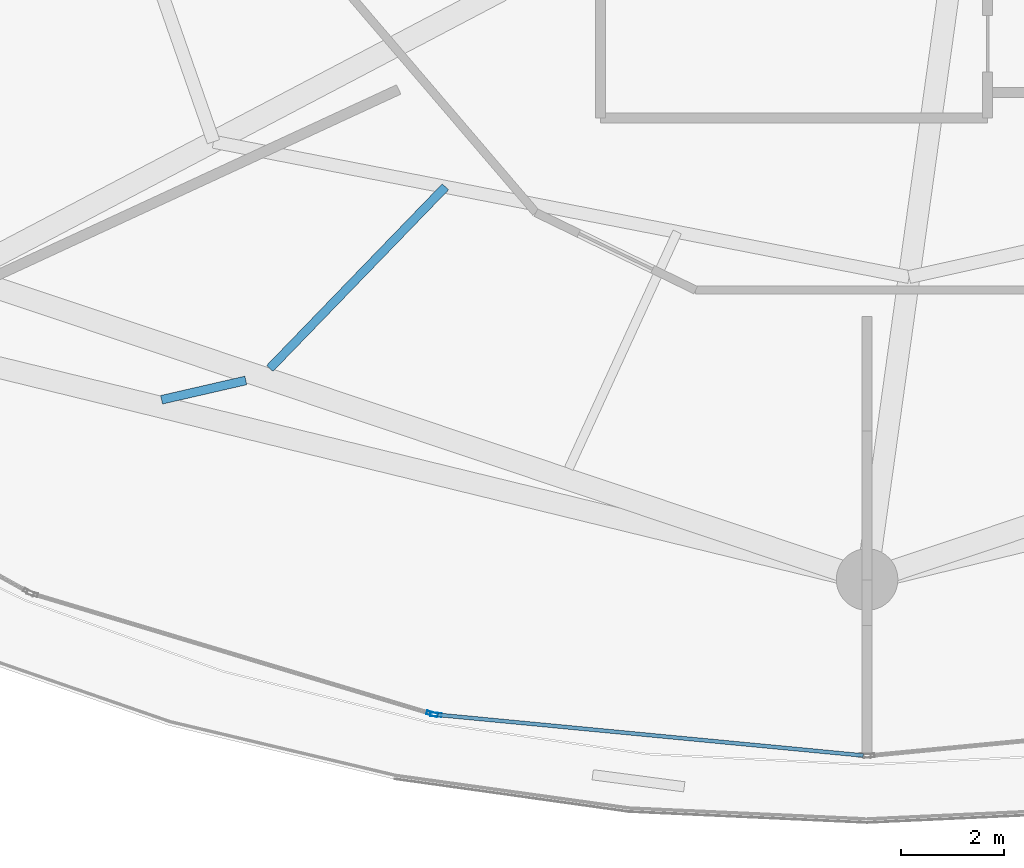
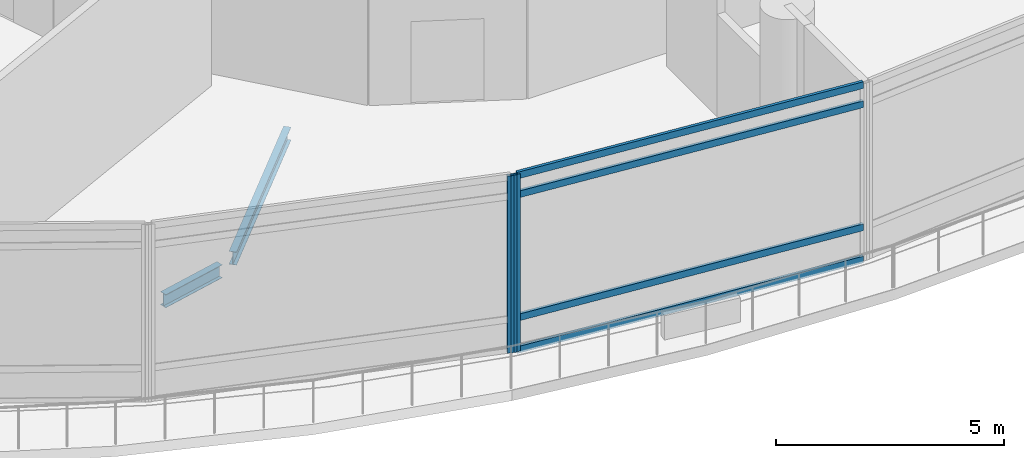
# One storey, part 5 of 34: 6 members, 2 beams, 2 elements without a shape of their own.
"""IFC4 building model written with IfcOpenShell, lengths in metres."""

from ifc_helpers import new_model, si_unit, direction, frame, origin, origin_2d, place, context, subcontext, project, spatial, hollow_rectangle, i_section, extrude, material, layer, layer_set, material_profile, profile_set, type_object, element, aggregate, save


model = new_model("IFC4")

# Units and contexts
model_context = context("Model", 3, precision=1e-05, world=origin(), true_north=direction((0.0, 1.0)))
body_context = subcontext(model_context, "Body", "Model", "MODEL_VIEW")
ifc_project = project(units=[si_unit("LENGTHUNIT", "METRE"), si_unit("AREAUNIT", "SQUARE_METRE"), si_unit("VOLUMEUNIT", "CUBIC_METRE"), si_unit("PLANEANGLEUNIT", "RADIAN"), si_unit("MASSUNIT", "GRAM", prefix="KILO")], contexts=[model_context])

# Site, building, storey
site_placement = place(None, origin())
site = spatial("IfcSite", under=ifc_project, at=site_placement, CompositionType="ELEMENT")
building_placement = place(site_placement, origin())
building = spatial("IfcBuilding", under=site, at=building_placement, Name="Nuhasar Tower", CompositionType="ELEMENT")
storey_placement = place(building_placement, frame((0.0, 0.0, 16.0)))
storey = spatial("IfcBuildingStorey", under=building, at=storey_placement, Name="L03", CompositionType="ELEMENT", Elevation=16.0)

# Beams
ifc_material_1 = material(Name="Steel S355", Category="steel")
ifc_material_profile_1 = material_profile(ifc_material_1, i_section(OverallWidth=0.1708984375, OverallDepth=0.35205078125, WebThickness=0.0068359375, FlangeThickness=0.009765625, at=origin_2d()), Name="W14X30")
ifc_profile_set_1 = profile_set([ifc_material_profile_1], Name="Steel S355")
beam_type = type_object("IfcBeamType", Name="BM-JST-W14X30", PredefinedType="JOIST", material=ifc_profile_set_1)
beam_1_placement = place(storey_placement, frame((30.77490234375, 14.208984375, -0.47607421875), z_axis=(-0.695213362508, -0.718803436685, 0.0), x_axis=(0.718803436685, -0.695213362508, 0.0)))
element("IfcBeam", 1, at=beam_1_placement, inside=storey, type_object=beam_type, Name="L03 Secondary Floor Joist 01", PredefinedType="JOIST", context=body_context, shape_type="SweptSolid", body=[
    extrude(i_section(OverallWidth=0.1708984375, OverallDepth=0.35205078125, WebThickness=0.0068359375, FlangeThickness=0.009765625, at=origin_2d()), origin(), (0.0, 0.0, 1.0), 4.92626953125),
])
beam_2_placement = place(storey_placement, frame((26.882080078125, 10.43310546875, -0.47607421875), z_axis=(-0.97467582406, -0.223622534626, 0.0), x_axis=(0.223622534626, -0.97467582406, 0.0)))
element("IfcBeam", 2, at=beam_2_placement, inside=storey, type_object=beam_type, Name="L03 Podium Secondary Joist 01", PredefinedType="JOIST", context=body_context, shape_type="SweptSolid", body=[
    extrude(i_section(OverallWidth=0.1708984375, OverallDepth=0.35205078125, WebThickness=0.0068359375, FlangeThickness=0.009765625, at=origin_2d()), origin(), (0.0, 0.0, 1.0), 1.686767578125),
])

# Curtain wall, member
ifc_material_2 = material(Name="Aluminium 6063-T6", Category="aluminium")
ifc_layer = layer(ifc_material_2, 0.219970703125)
ifc_layer_set = layer_set([ifc_layer], Name="Aluminium 6063-T6")
curtain_wall_type = type_object("IfcCurtainWallType", Name="CW-PODIUM", PredefinedType="NOTDEFINED", material=ifc_layer_set)
curtain_wall_1_placement = place(storey_placement, origin())
curtain_wall_1 = element("IfcCurtainWall", 3, at=curtain_wall_1_placement, inside=storey, type_object=curtain_wall_type, Name="L03 Podium Curtain Wall Bay 17", PredefinedType="NOTDEFINED")
ifc_material_profile_2 = material_profile(ifc_material_2, hollow_rectangle(XDim=0.074951171875, YDim=0.219970703125, WallThickness=0.0048828125, at=origin_2d()), Name="CWM-1")
ifc_profile_set_2 = profile_set([ifc_material_profile_2], Name="Aluminium 6063-T6")
member_type_1 = type_object("IfcMemberType", Name="CW-MUL-S1", PredefinedType="MULLION", material=ifc_profile_set_2)
member_1_placement = place(storey_placement, frame((30.51611328125, 3.927734375, 0.0), z_axis=(0.0, 0.0, 1.0), x_axis=(0.287950508783, 0.957645291583, 0.0)))
member_1 = element("IfcMember", 4, at=member_1_placement, type_object=member_type_1, Name="CW-P1 mullion 2", PredefinedType="MULLION", context=body_context, shape_type="SweptSolid", body=[
    extrude(hollow_rectangle(XDim=0.074951171875, YDim=0.219970703125, WallThickness=0.0048828125, at=origin_2d()), origin(), (0.0, 0.0, 1.0), 4.739990234375),
])
aggregate(curtain_wall_1, [member_1])

# Curtain wall, members
curtain_wall_2_placement = place(storey_placement, origin())
curtain_wall_2 = element("IfcCurtainWall", 5, at=curtain_wall_2_placement, inside=storey, type_object=curtain_wall_type, Name="L03 Podium Curtain Wall Bay 18", PredefinedType="NOTDEFINED")
member_2_placement = place(storey_placement, frame((30.58935546875, 3.913330078125, 0.0), z_axis=(0.0, 0.0, 1.0), x_axis=(0.095092686697, 0.995468422873, 0.0)))
member_2 = element("IfcMember", 6, at=member_2_placement, type_object=member_type_1, Name="CW-P1 mullion 1", PredefinedType="MULLION", context=body_context, shape_type="SweptSolid", body=[
    extrude(hollow_rectangle(XDim=0.074951171875, YDim=0.219970703125, WallThickness=0.0048828125, at=origin_2d()), origin(), (0.0, 0.0, 1.0), 4.739990234375),
])
ifc_material_profile_3 = material_profile(ifc_material_2, hollow_rectangle(XDim=0.074951171875, YDim=0.179931640625, WallThickness=0.00439453125, at=origin_2d()), Name="CWT-1")
ifc_profile_set_3 = profile_set([ifc_material_profile_3], Name="Aluminium 6063-T6")
member_type_2 = type_object("IfcMemberType", Name="CW-TRN-S1", PredefinedType="USERDEFINED", material=ifc_profile_set_3)
member_3_placement = place(storey_placement, frame((30.626708984375, 3.909912109375, 0.03759765625), z_axis=(0.995468449453, -0.095092408443, 0.0), x_axis=(0.095092408443, 0.995468449453, 0.0)))
member_3 = element("IfcMember", 7, at=member_3_placement, type_object=member_type_2, Name="CW-P1 transom 1.1", ObjectType="TRANSOM", PredefinedType="USERDEFINED", context=body_context, shape_type="SweptSolid", body=[
    extrude(hollow_rectangle(XDim=0.074951171875, YDim=0.179931640625, WallThickness=0.00439453125, at=origin_2d()), origin(), (0.0, 0.0, 1.0), 8.33642578125),
])
member_4_placement = place(storey_placement, frame((30.626708984375, 3.909912109375, 0.89990234375), z_axis=(0.995468449453, -0.095092408443, 0.0), x_axis=(0.095092408443, 0.995468449453, 0.0)))
member_4 = element("IfcMember", 8, at=member_4_placement, type_object=member_type_2, Name="CW-P1 transom 1.2", ObjectType="TRANSOM", PredefinedType="USERDEFINED", context=body_context, shape_type="SweptSolid", body=[
    extrude(hollow_rectangle(XDim=0.074951171875, YDim=0.179931640625, WallThickness=0.00439453125, at=origin_2d()), origin(), (0.0, 0.0, 1.0), 8.33642578125),
])
member_5_placement = place(storey_placement, frame((30.626708984375, 3.909912109375, 4.18994140625), z_axis=(0.995468449453, -0.095092408443, 0.0), x_axis=(0.095092408443, 0.995468449453, 0.0)))
member_5 = element("IfcMember", 9, at=member_5_placement, type_object=member_type_2, Name="CW-P1 transom 1.3", ObjectType="TRANSOM", PredefinedType="USERDEFINED", context=body_context, shape_type="SweptSolid", body=[
    extrude(hollow_rectangle(XDim=0.074951171875, YDim=0.179931640625, WallThickness=0.00439453125, at=origin_2d()), origin(), (0.0, 0.0, 1.0), 8.33642578125),
])
member_6_placement = place(storey_placement, frame((30.626708984375, 3.909912109375, 4.702392578125), z_axis=(0.995468449453, -0.095092408443, 0.0), x_axis=(0.095092408443, 0.995468449453, 0.0)))
member_6 = element("IfcMember", 10, at=member_6_placement, type_object=member_type_2, Name="CW-P1 transom 1.4", ObjectType="TRANSOM", PredefinedType="USERDEFINED", context=body_context, shape_type="SweptSolid", body=[
    extrude(hollow_rectangle(XDim=0.074951171875, YDim=0.179931640625, WallThickness=0.00439453125, at=origin_2d()), origin(), (0.0, 0.0, 1.0), 8.33642578125),
])
aggregate(curtain_wall_2, [member_2, member_3, member_4, member_5, member_6])

save(model, "model.ifc")
